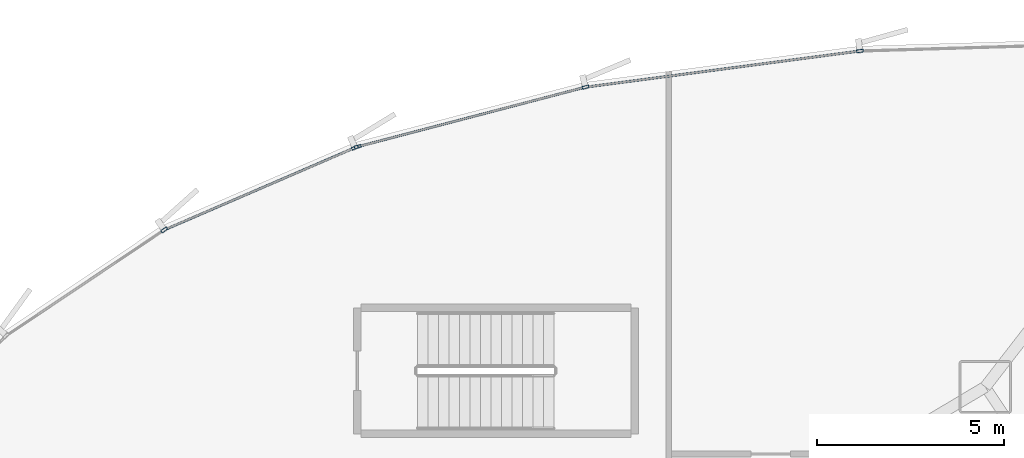
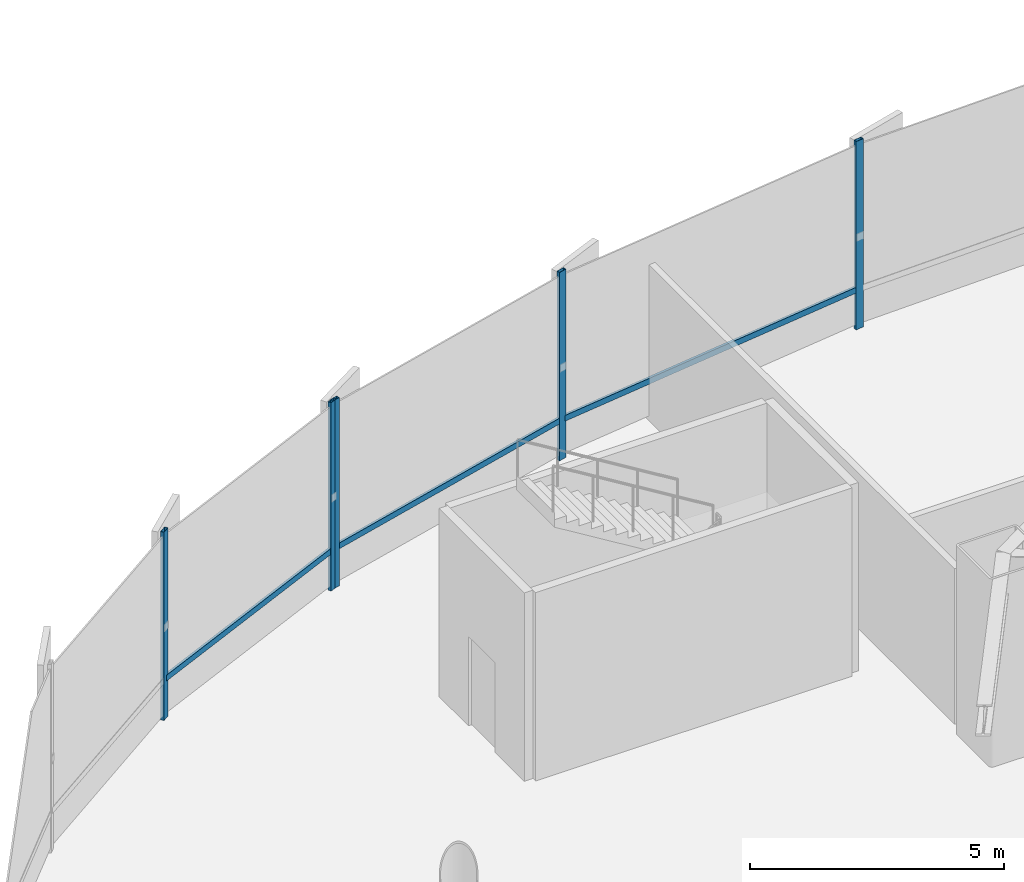
# One storey, part 12 of 33: 8 members, 2 elements without a shape of their own.
"""IFC4 building model written with IfcOpenShell, lengths in metres."""

from ifc_helpers import new_model, si_unit, direction, frame, origin, origin_2d, place, context, subcontext, project, spatial, hollow_rectangle, extrude, source, transform, mapped, material, layer, layer_set, material_profile, profile_set, type_object, element, aggregate, save


model = new_model("IFC4")

# Units and contexts
model_context = context("Model", 3, precision=1e-05, world=origin(), true_north=direction((0.0, 1.0)))
body_context = subcontext(model_context, "Body", "Model", "MODEL_VIEW")
ifc_project = project(units=[si_unit("LENGTHUNIT", "METRE"), si_unit("AREAUNIT", "SQUARE_METRE"), si_unit("VOLUMEUNIT", "CUBIC_METRE"), si_unit("PLANEANGLEUNIT", "RADIAN"), si_unit("MASSUNIT", "GRAM", prefix="KILO"), si_unit("THERMODYNAMICTEMPERATUREUNIT", "KELVIN")], contexts=[model_context])

# Site, building, storey
site_placement = place(None, origin())
site = spatial("IfcSite", under=ifc_project, at=site_placement, CompositionType="ELEMENT")
building_placement = place(site_placement, origin())
building = spatial("IfcBuilding", under=site, at=building_placement, Name="Kethvar Cultural Tower", CompositionType="ELEMENT")
storey_placement = place(building_placement, frame((0.0, 0.0, 10.0)))
storey = spatial("IfcBuildingStorey", under=building, at=storey_placement, Name="L02", CompositionType="ELEMENT", Elevation=10.0)

# Curtain wall, member
ifc_material = material(Name="Aluminium 6063-T6", Category="aluminium")
ifc_layer = layer(ifc_material, 0.179931640625, Name="Aluminium 6063-T6", Category="aluminium")
ifc_layer_set = layer_set([ifc_layer], Name="Aluminium 6063-T6 (180 mm)")
curtain_wall_type = type_object("IfcCurtainWallType", Name="CW-SYS-01-POD", PredefinedType="NOTDEFINED", material=ifc_layer_set)
curtain_wall_1_placement = place(storey_placement, origin())
curtain_wall_1 = element("IfcCurtainWall", 1, at=curtain_wall_1_placement, inside=storey, type_object=curtain_wall_type, Name="L02 Curtain Wall Run 03", PredefinedType="NOTDEFINED")
ifc_material_profile_1 = material_profile(ifc_material, hollow_rectangle(XDim=0.06005859375, YDim=0.139892578125, WallThickness=0.0048828125, at=origin_2d()), Name="Aluminium 6063-T6 — RHS140x60x5")
ifc_profile_set_1 = profile_set([ifc_material_profile_1], Name="Aluminium 6063-T6 — RHS140x60x5")
member_type_1 = type_object("IfcMemberType", Name="CW-SYS-01-POD-TRN", PredefinedType="USERDEFINED", material=ifc_profile_set_1)
shared_shape_1 = source(origin(), body_context, "Body", "SweptSolid", [
    extrude(hollow_rectangle(XDim=0.06005859375, YDim=0.139892578125, WallThickness=0.0048828125, at=origin_2d()), origin(), (0.0, 0.0, 1.0), 5.504638671875),
])
member_1_placement = place(storey_placement, frame((17.82861328125, 52.3681640625, 0.949951171875), z_axis=(-0.918072625283, -0.39641222825, 0.0), x_axis=(0.39641222825, -0.918072625283, 0.0)))
member_1 = element("IfcMember", 2, at=member_1_placement, type_object=member_type_1, Name="CW-L02-R03 Transom 1", ObjectType="TRANSOM", PredefinedType="USERDEFINED", context=body_context, shape_type="MappedRepresentation", body=[
    mapped(shared_shape_1, transform((0.0, 0.0, 0.0), scale=1.0)),
])

# Curtain wall, members
curtain_wall_2_placement = place(storey_placement, origin())
curtain_wall_2 = element("IfcCurtainWall", 3, at=curtain_wall_2_placement, inside=storey, type_object=curtain_wall_type, Name="L02 Curtain Wall Run 02", PredefinedType="NOTDEFINED")
shared_shape_2 = source(origin(), body_context, "Body", "SweptSolid", [
    extrude(hollow_rectangle(XDim=0.06005859375, YDim=0.139892578125, WallThickness=0.0048828125, at=origin_2d()), origin(), (0.0, 0.0, 1.0), 7.28955078125),
])
member_2_placement = place(storey_placement, frame((31.24755859375, 54.94091796875, 0.949951171875), z_axis=(-0.9914326226, -0.13061912128, 0.0), x_axis=(0.13061912128, -0.9914326226, 0.0)))
member_2 = element("IfcMember", 4, at=member_2_placement, type_object=member_type_1, Name="CW-L02-R02 Transom 5", ObjectType="TRANSOM", PredefinedType="USERDEFINED", context=body_context, shape_type="MappedRepresentation", body=[
    mapped(shared_shape_2, transform((0.0, 0.0, 0.0), scale=1.0)),
])
shared_shape_3 = source(origin(), body_context, "Body", "SweptSolid", [
    extrude(hollow_rectangle(XDim=0.06005859375, YDim=0.139892578125, WallThickness=0.0048828125, at=origin_2d()), origin(), (0.0, 0.0, 1.0), 6.221435546875),
])
member_3_placement = place(storey_placement, frame((23.930908203125, 53.97119140625, 0.949951171875), z_axis=(-0.967458727109, -0.253028874519, 0.0), x_axis=(0.253028874519, -0.967458727109, 0.0)))
member_3 = element("IfcMember", 5, at=member_3_placement, type_object=member_type_1, Name="CW-L02-R02 Transom 6", ObjectType="TRANSOM", PredefinedType="USERDEFINED", context=body_context, shape_type="MappedRepresentation", body=[
    mapped(shared_shape_3, transform((0.0, 0.0, 0.0), scale=1.0)),
])
ifc_material_profile_2 = material_profile(ifc_material, hollow_rectangle(XDim=0.074951171875, YDim=0.179931640625, WallThickness=0.006103515625, at=origin_2d()), Name="Aluminium 6063-T6 — RHS180x75x6")
ifc_profile_set_2 = profile_set([ifc_material_profile_2], Name="Aluminium 6063-T6 — RHS180x75x6")
member_type_2 = type_object("IfcMemberType", Name="CW-SYS-01-POD-MUL", PredefinedType="MULLION", material=ifc_profile_set_2)
shared_shape_4 = source(origin(), body_context, "Body", "SweptSolid", [
    extrude(hollow_rectangle(XDim=0.074951171875, YDim=0.179931640625, WallThickness=0.006103515625, at=origin_2d()), origin(), (0.0, 0.0, 1.0), 4.530029296875),
])
member_4_placement = place(storey_placement, frame((31.301025390625, 54.947998046875, 0.0), z_axis=(0.0, 0.0, 1.0), x_axis=(0.130647319086, -0.991428907192, 0.0)))
member_4 = element("IfcMember", 6, at=member_4_placement, type_object=member_type_2, Name="CW-L02-R02 Mullion 5", PredefinedType="MULLION", context=body_context, shape_type="MappedRepresentation", body=[
    mapped(shared_shape_4, transform((0.0, 0.0, 0.0), scale=1.0)),
])
member_5_placement = place(storey_placement, frame((23.98291015625, 53.984619140625, 0.0), z_axis=(0.0, 0.0, 1.0), x_axis=(0.253031946887, -0.967457923558, 0.0)))
member_5 = element("IfcMember", 7, at=member_5_placement, type_object=member_type_2, Name="CW-L02-R02 Mullion 6", PredefinedType="MULLION", context=body_context, shape_type="MappedRepresentation", body=[
    mapped(shared_shape_4, transform((0.0, 0.0, 0.0), scale=1.0)),
])
member_6_placement = place(storey_placement, frame((17.90673828125, 52.3955078125, 0.0), z_axis=(0.0, 0.0, 1.0), x_axis=(0.253031946887, -0.967457923558, 0.0)))
member_6 = element("IfcMember", 8, at=member_6_placement, type_object=member_type_2, Name="CW-L02-R02 Mullion 7", PredefinedType="MULLION", context=body_context, shape_type="MappedRepresentation", body=[
    mapped(shared_shape_4, transform((0.0, 0.0, 0.0), scale=1.0)),
])
aggregate(curtain_wall_2, [member_4, member_5, member_6, member_2, member_3])

# Member
member_7_placement = place(storey_placement, frame((17.83349609375, 52.370361328125, 0.0), z_axis=(0.0, 0.0, 1.0), x_axis=(0.396410942082, -0.918073180633, 0.0)))
member_7 = element("IfcMember", 9, at=member_7_placement, type_object=member_type_2, Name="CW-L02-R03 Mullion 1", PredefinedType="MULLION", context=body_context, shape_type="MappedRepresentation", body=[
    mapped(shared_shape_4, transform((0.0, 0.0, 0.0), scale=1.0)),
])

member_8_placement = place(storey_placement, frame((12.74609375, 50.176025390625, 0.0), z_axis=(0.0, 0.0, 1.0), x_axis=(0.556556649514, -0.830809662848, 0.0)))
member_8 = element("IfcMember", 10, at=member_8_placement, type_object=member_type_2, Name="CW-L02-R03 Mullion 2", PredefinedType="MULLION", context=body_context, shape_type="MappedRepresentation", body=[
    mapped(shared_shape_4, transform((0.0, 0.0, 0.0), scale=1.0)),
])

aggregate(curtain_wall_1, [member_7, member_8, member_1])

save(model, "model.ifc")
